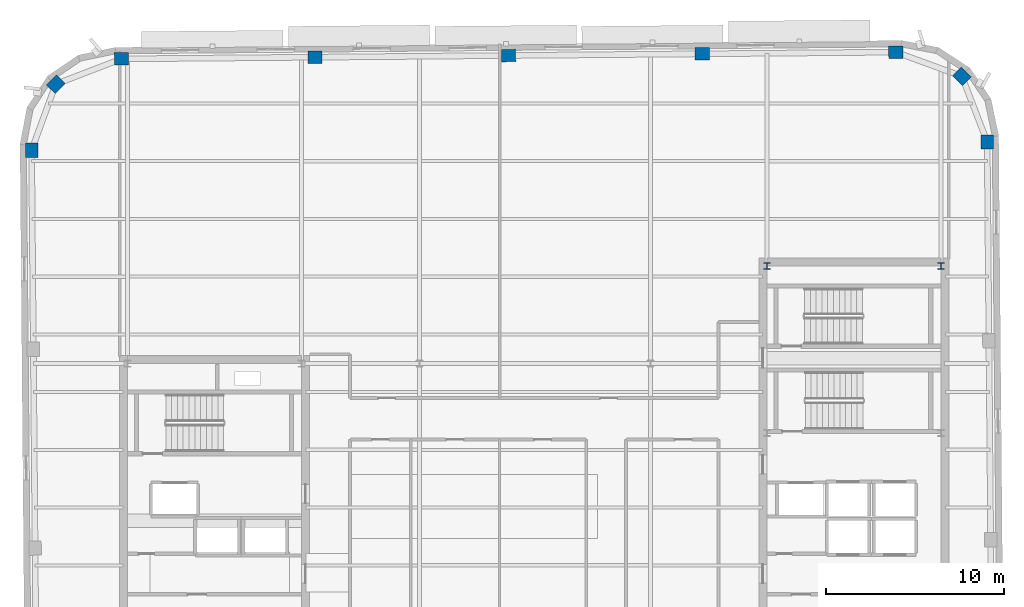
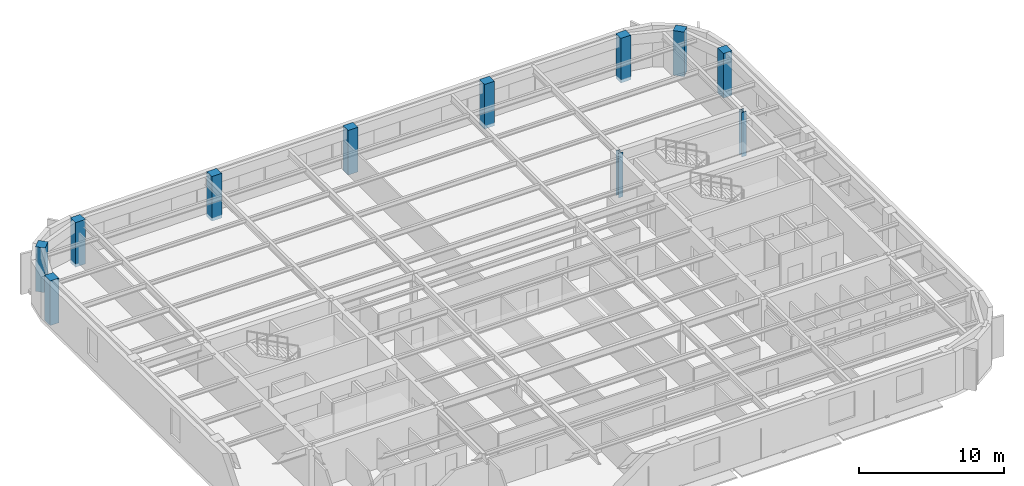
# One storey, part 3 of 15: 11 columns.
"""IFC4 building model written with IfcOpenShell, lengths in metres."""

from ifc_helpers import new_model, si_unit, direction, frame, origin, origin_2d, place, context, subcontext, project, spatial, rectangle, i_section, extrude, material, material_profile, profile_set, type_object, element, save


model = new_model("IFC4")

# Units and contexts
model_context = context("Model", 3, precision=1e-05, world=origin(), true_north=direction((0.0, 1.0)))
body_context = subcontext(model_context, "Body", "Model", "MODEL_VIEW")
ifc_project = project(units=[si_unit("LENGTHUNIT", "METRE"), si_unit("AREAUNIT", "SQUARE_METRE"), si_unit("VOLUMEUNIT", "CUBIC_METRE"), si_unit("PLANEANGLEUNIT", "RADIAN"), si_unit("MASSUNIT", "GRAM", prefix="KILO")], contexts=[model_context])

# Site, building, storey
site_placement = place(None, origin())
site = spatial("IfcSite", under=ifc_project, at=site_placement, CompositionType="ELEMENT")
building_placement = place(site_placement, origin())
building = spatial("IfcBuilding", under=site, at=building_placement, Name="Kolvaren Arena Tower", CompositionType="ELEMENT")
storey_placement = place(building_placement, frame((0.0, 0.0, 282.39990234375)))
storey = spatial("IfcBuildingStorey", under=building, at=storey_placement, Name="L69", CompositionType="ELEMENT", Elevation=282.39990234375)

# Columns
ifc_material_1 = material(Name="Precast concrete C50/60", Category="concrete")
ifc_material_profile_1 = material_profile(ifc_material_1, rectangle(XDim=0.800048828125, YDim=0.699951171875, at=origin_2d()), Name="RC-800x700")
ifc_profile_set_1 = profile_set([ifc_material_profile_1], Name="Precast concrete C50/60")
column_type_1 = type_object("IfcColumnType", Name="EXCOL-Z5", PredefinedType="COLUMN", material=ifc_profile_set_1)
for number, where, z_axis, x_axis, name in (
    (1, (62.952392578125, 46.333984375, -0.27001953125), (0.0, 0.0, 1.0), (-0.008726535498, 0.999961923064, 0.0), "Exoskeleton Perimeter Column 10 (L69)"),
    (2, (61.52880859375, 50.030517578125, -0.27001953125), (0.0, 0.0, 1.0), (-0.713250449154, 0.7009092643, 0.0), "Exoskeleton Perimeter Column 11 (L69)"),
    (3, (57.80810546875, 51.389404296875, -0.27001953125), (0.0, 0.0, 1.0), (0.999961923064, 0.008726535498, 0.0), "Exoskeleton Perimeter Column 12 (L69)"),
    (4, (46.908447265625, 51.294189453125, -0.27001953125), (0.0, 0.0, 1.0), (0.999961923064, 0.008726535498, 0.0), "Exoskeleton Perimeter Column 13 (L69)"),
    (5, (36.0087890625, 51.19921875, -0.27001953125), (0.0, 0.0, 1.0), (0.999961923064, 0.008726535498, 0.0), "Exoskeleton Perimeter Column 14 (L69)"),
    (6, (25.109375, 51.10400390625, -0.27001953125), (0.0, 0.0, 1.0), (0.999961923064, 0.008726535498, 0.0), "Exoskeleton Perimeter Column 15 (L69)"),
    (7, (14.209716796875, 51.0087890625, -0.27001953125), (0.0, 0.0, 1.0), (0.999961923064, 0.008726535498, 0.0), "Exoskeleton Perimeter Column 16 (L69)"),
    (8, (10.51318359375, 49.58544921875, -0.27001953125), (0.0, 0.0, 1.0), (0.7009092643, 0.713250449154, 0.0), "Exoskeleton Perimeter Column 17 (L69)"),
    (9, (9.154296875, 45.864501953125, -0.27001953125), (0.0, 0.0, 1.0), (-0.008726535498, 0.999961923064, 0.0), "Exoskeleton Perimeter Column 18 (L69)"),
):
    element("IfcColumn", number, at=place(storey_placement, frame(where, z_axis=z_axis, x_axis=x_axis)), inside=storey, type_object=column_type_1, Name=name, PredefinedType="COLUMN", context=body_context, shape_type="SweptSolid", body=[
        extrude(rectangle(XDim=0.800048828125, YDim=0.699951171875, at=origin_2d()), origin(), (0.0, 0.0, 1.0), 3.75),
    ])
ifc_material_2 = material(Name="Steel ASTM A913 Grade 65", Category="steel")
ifc_material_profile_2 = material_profile(ifc_material_2, i_section(OverallWidth=0.3740234375, OverallDepth=0.3720703125, WebThickness=0.016357421875, FlangeThickness=0.026123046875, FilletRadius=0.02001953125, at=origin_2d()), Name="W360x196")
ifc_profile_set_2 = profile_set([ifc_material_profile_2], Name="Steel ASTM A913 Grade 65")
column_type_2 = type_object("IfcColumnType", Name="SCOL-Z5", PredefinedType="COLUMN", material=ifc_profile_set_2)
for number, where, z_axis, x_axis, name in (
    (10, (50.550048828125, 39.35009765625, -0.27001953125), (0.0, 0.0, 1.0), (1.0, 0.0, 0.0), "Core Boundary Column EC-NW (L69)"),
    (11, (60.35009765625, 39.35009765625, -0.27001953125), (0.0, 0.0, 1.0), (1.0, 0.0, 0.0), "Core Boundary Column EC-NE (L69)"),
):
    element("IfcColumn", number, at=place(storey_placement, frame(where, z_axis=z_axis, x_axis=x_axis)), inside=storey, type_object=column_type_2, Name=name, PredefinedType="COLUMN", context=body_context, shape_type="SweptSolid", body=[
        extrude(i_section(OverallWidth=0.3740234375, OverallDepth=0.3720703125, WebThickness=0.016357421875, FlangeThickness=0.026123046875, FilletRadius=0.02001953125, at=origin_2d()), origin(), (0.0, 0.0, 1.0), 3.75),
    ])

save(model, "model.ifc")
